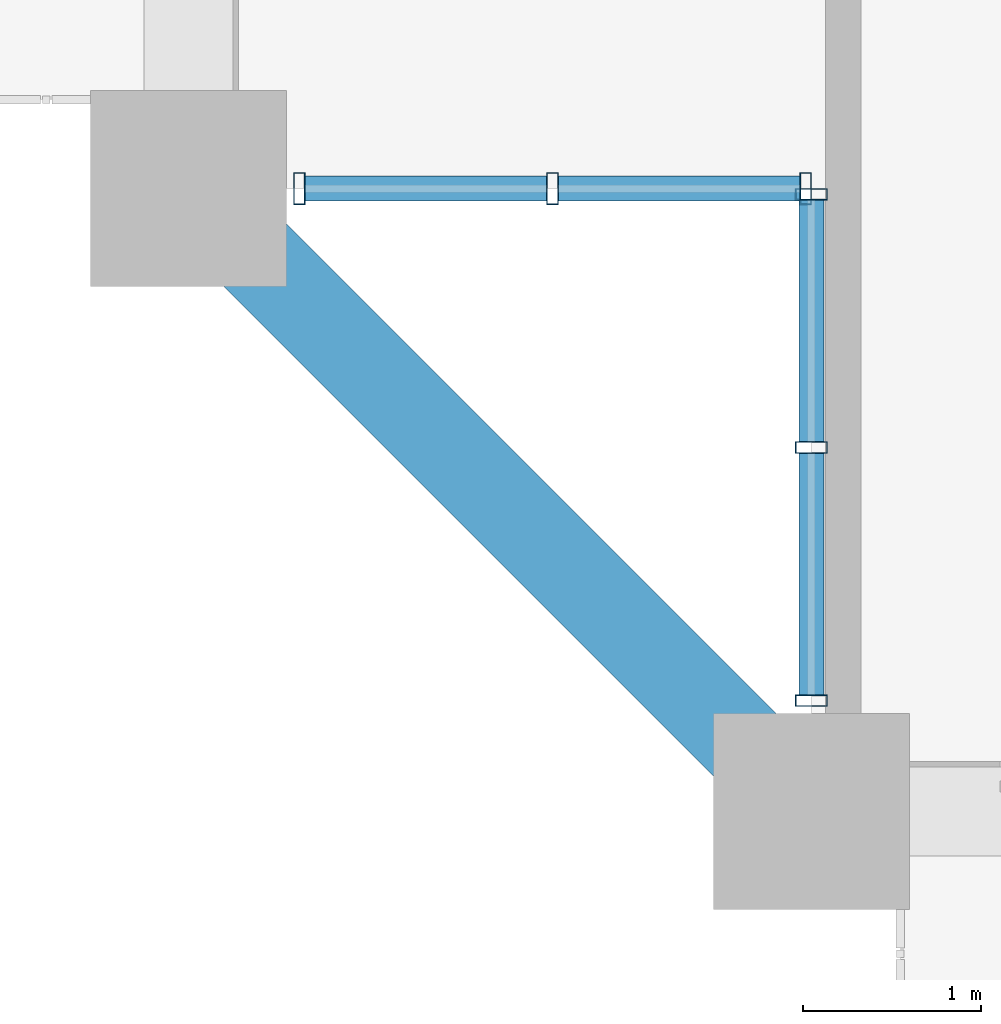
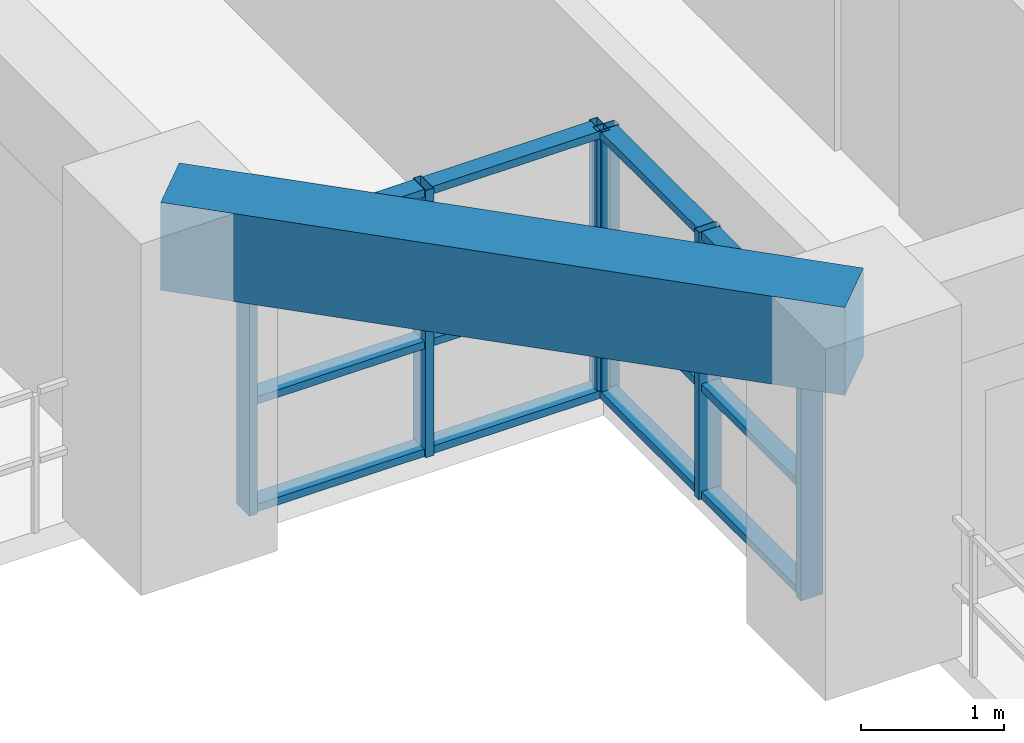
# One storey, part 2 of 27: 18 members, 1 beam, 2 elements without a shape of their own.
"""IFC4 building model written with IfcOpenShell, lengths in metres."""

import ifcopenshell
import ifcopenshell.guid

model = None  # the IFC model being written
_history = None  # IfcOwnerHistory: only IFC2X3 demands one
_inside = {}  # id of a spatial element -> (the spatial element, [elements in it])
_under = {}  # id of a project, library or spatial element -> (it, [spatial elements below it])
_declared = {}  # id of a project -> (the project, [libraries it declares])
_typed = {}  # id of a type object -> (the type object, [elements of that type])
_made_of = {}  # id of a material, layer set ... -> (it, [elements and type objects made of it])


def new_model(schema):
    """Start an empty IFC model of exactly this schema.

    Asked for "IFC4X3", IfcOpenShell would pick the latest addendum, in which some entities
    have other attributes; the version numbers below select the first issue.
    IFC2X3 requires an IfcOwnerHistory on every rooted entity: one is made here for all.
    """
    global model, _history
    if schema == "IFC4X3":
        model = ifcopenshell.file(schema_version=(4, 3, 0, 0))
    else:
        model = ifcopenshell.file(schema=schema)
    _inside.clear()
    _under.clear()
    _declared.clear()
    _typed.clear()
    _made_of.clear()
    _history = None
    if model.schema == "IFC2X3":
        org = make("IfcOrganization", Name="unknown")
        user = make(
            "IfcPersonAndOrganization",
            ThePerson=make("IfcPerson", FamilyName="unknown"),
            TheOrganization=org,
        )
        app = make(
            "IfcApplication",
            ApplicationDeveloper=org,
            Version="unknown",
            ApplicationFullName="unknown",
            ApplicationIdentifier="unknown",
        )
        _history = make(
            "IfcOwnerHistory",
            OwningUser=user,
            OwningApplication=app,
            ChangeAction="ADDED",
            CreationDate=0,
        )
    return model


def make(cls, **values):
    """One entity of the class cls with the attributes given. An attribute that is None is left unset."""
    return model.create_entity(
        cls, **{name: value for name, value in values.items() if value is not None}
    )


def rooted(cls, **values):
    """An entity with a GlobalId (a new one), such as an element, a storey or a relation."""
    return make(cls, GlobalId=ifcopenshell.guid.new(), OwnerHistory=_history, **values)


def si_unit(unit_type, name, prefix=None):
    """IfcSIUnit, for example si_unit("LENGTHUNIT", "METRE", prefix="MILLI")."""
    return make("IfcSIUnit", UnitType=unit_type, Prefix=prefix, Name=name)


def assignment(units):
    """IfcUnitAssignment: the units of a project."""
    return None if units is None else make("IfcUnitAssignment", Units=units)


def point(xyz):
    """IfcCartesianPoint."""
    return None if xyz is None else make("IfcCartesianPoint", Coordinates=xyz)


def direction(xyz):
    """IfcDirection."""
    return None if xyz is None else make("IfcDirection", DirectionRatios=xyz)


def frame(location, z_axis=None, x_axis=None):
    """IfcAxis2Placement3D, a coordinate frame: its origin and axes. An axis left out is left unset."""
    return make(
        "IfcAxis2Placement3D",
        Location=point(location),
        Axis=direction(z_axis),
        RefDirection=direction(x_axis),
    )


def frame_2d(location, x_axis=None):
    """IfcAxis2Placement2D, a coordinate frame in the plane: its origin and x axis."""
    return make(
        "IfcAxis2Placement2D", Location=point(location), RefDirection=direction(x_axis)
    )


def origin():
    """The frame at (0, 0, 0) with its axes left unset."""
    return frame((0.0, 0.0, 0.0))


def origin_2d():
    """The frame at (0, 0) in the plane with its x axis left unset."""
    return frame_2d((0.0, 0.0))


def place(relative_to, where):
    """IfcLocalPlacement: puts the frame where relative to a parent placement (None: the world)."""
    return make(
        "IfcLocalPlacement", PlacementRelTo=relative_to, RelativePlacement=where
    )


def context(
    kind, dimensions, precision=None, world=None, true_north=None, identifier=None
):
    """IfcGeometricRepresentationContext, for example the 3D "Model" context."""
    return make(
        "IfcGeometricRepresentationContext",
        ContextIdentifier=identifier,
        ContextType=kind,
        CoordinateSpaceDimension=dimensions,
        Precision=precision,
        WorldCoordinateSystem=world,
        TrueNorth=true_north,
    )


def subcontext(parent, identifier, kind, view, scale=None):
    """IfcGeometricRepresentationSubContext, for example "Body" below "Model"."""
    return make(
        "IfcGeometricRepresentationSubContext",
        ContextIdentifier=identifier,
        ContextType=kind,
        ParentContext=parent,
        TargetScale=scale,
        TargetView=view,
    )


def project(units=None, contexts=None):
    """IfcProject with its units and contexts."""
    return rooted(
        "IfcProject",
        Name="project",
        RepresentationContexts=contexts,
        UnitsInContext=assignment(units),
    )


def spatial(cls, under=None, at=None, **own):
    """A site, building, storey or space (cls), placed at a placement, below another one or the project."""
    s = rooted(cls, ObjectPlacement=at, **own)
    if under is not None:
        _under.setdefault(under.id(), (under, []))[1].append(s)
    return s


def profile(cls, at=None, kind="AREA", **sizes):
    """A parametric profile (cls). Its sizes go by their IFC names, for example OverallWidth=200.0."""
    return make(cls, ProfileType=kind, Position=at, **sizes)


def rectangle(**sizes):
    """IfcRectangleProfileDef."""
    return profile("IfcRectangleProfileDef", **sizes)


def hollow_rectangle(**sizes):
    """IfcRectangleHollowProfileDef."""
    return profile("IfcRectangleHollowProfileDef", **sizes)


def extrude(swept, where, along, depth):
    """IfcExtrudedAreaSolid: the profile swept, set in the frame where, extruded along a direction by depth."""
    return make(
        "IfcExtrudedAreaSolid",
        SweptArea=swept,
        Position=where,
        ExtrudedDirection=direction(along),
        Depth=depth,
    )


def shape(context_of_items, identifier, shape_type, items):
    """IfcShapeRepresentation: the items that make up one representation, for example the "Body"."""
    return make(
        "IfcShapeRepresentation",
        ContextOfItems=context_of_items,
        RepresentationIdentifier=identifier,
        RepresentationType=shape_type,
        Items=items,
    )


def source(mapping_origin, context_of_items, identifier, shape_type, items):
    """IfcRepresentationMap: a shape defined once, which mapped items show again and again."""
    return make(
        "IfcRepresentationMap",
        MappingOrigin=mapping_origin,
        MappedRepresentation=shape(context_of_items, identifier, shape_type, items),
    )


def transform(
    local_origin,
    x_axis=None,
    y_axis=None,
    z_axis=None,
    scale=None,
    scale2=None,
    scale3=None,
    uniform=True,
):
    """IfcCartesianTransformationOperator3D, or its non-uniform kind. x_axis, y_axis, z_axis: its Axis1, 2, 3."""
    if uniform:
        return make(
            "IfcCartesianTransformationOperator3D",
            Axis1=direction(x_axis),
            Axis2=direction(y_axis),
            LocalOrigin=point(local_origin),
            Scale=scale,
            Axis3=direction(z_axis),
        )
    return make(
        "IfcCartesianTransformationOperator3DnonUniform",
        Axis1=direction(x_axis),
        Axis2=direction(y_axis),
        LocalOrigin=point(local_origin),
        Scale=scale,
        Axis3=direction(z_axis),
        Scale2=scale2,
        Scale3=scale3,
    )


def mapped(mapping_source, mapping_target):
    """IfcMappedItem: shows the shape of a source again, moved by a transform."""
    return make(
        "IfcMappedItem", MappingSource=mapping_source, MappingTarget=mapping_target
    )


def material(Name=None, Category=None):
    """IfcMaterial."""
    return make("IfcMaterial", Name=Name, Category=Category)


def layer(
    of_material, thickness, ventilated=None, Name=None, Category=None, Priority=None
):
    """IfcMaterialLayer: one layer of a wall or slab, of a material (None: an air gap)."""
    return make(
        "IfcMaterialLayer",
        Material=of_material,
        LayerThickness=thickness,
        IsVentilated=ventilated,
        Name=Name,
        Category=Category,
        Priority=Priority,
    )


def layer_set(layers, Name=None):
    """IfcMaterialLayerSet."""
    return make("IfcMaterialLayerSet", MaterialLayers=layers, LayerSetName=Name)


def material_profile(
    of_material, cross_section, Name=None, Category=None, Priority=None
):
    """IfcMaterialProfile: a cross section and its material."""
    return make(
        "IfcMaterialProfile",
        Name=Name,
        Material=of_material,
        Profile=cross_section,
        Priority=Priority,
        Category=Category,
    )


def profile_set(profiles, Name=None, composite=None):
    """IfcMaterialProfileSet."""
    return make(
        "IfcMaterialProfileSet",
        Name=Name,
        MaterialProfiles=profiles,
        CompositeProfile=composite,
    )


def made_of(thing, what):
    """Note that an element or type object is made of a material, layer set ...; save() writes the relation."""
    if what is not None:
        _made_of.setdefault(what.id(), (what, []))[1].append(thing)
    return thing


def type_object(cls, material=None, **own):
    """A type object (cls), such as IfcWallType, which elements share."""
    return made_of(rooted(cls, **own), material)


def element(
    cls,
    number,
    at=None,
    inside=None,
    cuts=None,
    type_object=None,
    material=None,
    context=None,
    identifier="Body",
    shape_type=None,
    held_by="IfcProductDefinitionShape",
    body=None,
    shapes=None,
    **own,
):
    """One element of the class cls, such as IfcWall. Its Tag is "e" and its number.

    at: its placement. inside: the storey or other place that contains it. cuts: it is an
    opening in that element (IfcRelVoidsElement). A single representation is given by context,
    identifier, shape_type and body (its items); several are given by shapes. held_by: the class
    of the entity that holds the representations. save() writes the other relations.
    """
    e = rooted(cls, Tag="e%d" % number, ObjectPlacement=at, **own)
    if body is not None:
        shapes = [shape(context, identifier, shape_type, body)]
    if shapes is not None:
        e.Representation = make(held_by, Representations=shapes)
    if inside is not None:
        _inside.setdefault(inside.id(), (inside, []))[1].append(e)
    if cuts is not None:
        rooted(
            "IfcRelVoidsElement", RelatingBuildingElement=cuts, RelatedOpeningElement=e
        )
    if type_object is not None:
        _typed.setdefault(type_object.id(), (type_object, []))[1].append(e)
    return made_of(e, material)


def aggregate(whole, parts):
    """IfcRelAggregates: a whole, such as a stair, and the parts it consists of."""
    return rooted("IfcRelAggregates", RelatingObject=whole, RelatedObjects=parts)


def save(model, path):
    """Write the relations noted so far, then the file.

    IfcRelAggregates (storeys below a building ...), IfcRelContainedInSpatialStructure (elements
    in a storey), IfcRelDefinesByType, IfcRelAssociatesMaterial and IfcRelDeclares: one each for
    every whole, place, type object, material and project.
    """
    for whole, parts in _under.values():
        aggregate(whole, parts)
    for where, things in _inside.values():
        rooted(
            "IfcRelContainedInSpatialStructure",
            RelatedElements=things,
            RelatingStructure=where,
        )
    for kind, things in _typed.values():
        rooted("IfcRelDefinesByType", RelatedObjects=things, RelatingType=kind)
    for what, things in _made_of.values():
        rooted("IfcRelAssociatesMaterial", RelatedObjects=things, RelatingMaterial=what)
    for by, libraries in _declared.values():
        rooted("IfcRelDeclares", RelatingContext=by, RelatedDefinitions=libraries)
    model.write(path)


model = new_model("IFC4")

# Units and contexts
model_context = context("Model", 3, precision=1e-05, world=origin(), true_north=direction((0.0, 1.0)))
body_context = subcontext(model_context, "Body", "Model", "MODEL_VIEW")
ifc_project = project(units=[si_unit("LENGTHUNIT", "METRE"), si_unit("AREAUNIT", "SQUARE_METRE"), si_unit("VOLUMEUNIT", "CUBIC_METRE"), si_unit("PLANEANGLEUNIT", "RADIAN"), si_unit("MASSUNIT", "GRAM", prefix="KILO")], contexts=[model_context])

# Site, building, storey
site_placement = place(None, origin())
site = spatial("IfcSite", under=ifc_project, at=site_placement, CompositionType="ELEMENT")
building_placement = place(site_placement, origin())
building = spatial("IfcBuilding", under=site, at=building_placement, Name="Saelheon Loggia Tower", CompositionType="ELEMENT")
storey_placement = place(building_placement, frame((0.0, 0.0, 34.39990234375)))
storey = spatial("IfcBuildingStorey", under=building, at=storey_placement, Name="L10", CompositionType="ELEMENT", Elevation=34.39990234375)

# Beam
ifc_material_1 = material(Name="Concrete C45/55", Category="concrete")
ifc_material_profile_1 = material_profile(ifc_material_1, rectangle(XDim=0.5, YDim=0.75, at=origin_2d()), Name="RC-500x750")
ifc_profile_set_1 = profile_set([ifc_material_profile_1], Name="Concrete C45/55")
beam_type = type_object("IfcBeamType", Name="Beam_PerimGirder_RC500x750", PredefinedType="BEAM", material=ifc_profile_set_1)
shared_shape_1 = source(origin(), body_context, "Body", "SweptSolid", [
    extrude(rectangle(XDim=0.5, YDim=0.75, at=origin_2d()), origin(), (0.0, 0.0, 1.0), 4.94970703125),
])
beam_placement = place(storey_placement, frame((12.0, 6.5, 2.625), z_axis=(0.707106781187, -0.707106781187, 0.0), x_axis=(0.707106781187, 0.707106781187, 0.0)))
element("IfcBeam", 1, at=beam_placement, inside=storey, type_object=beam_type, Name="L10 Perimeter Frame Girder 16", PredefinedType="BEAM", context=body_context, shape_type="MappedRepresentation", body=[
    mapped(shared_shape_1, transform((0.0, 0.0, 0.0), scale=1.0)),
])

# Curtain wall, members
ifc_material_2 = material(Name="Thermal-Break Aluminium and Triple Low-E Glass", Category="aluminium")
ifc_layer = layer(ifc_material_2, 0.159912109375)
ifc_layer_set = layer_set([ifc_layer], Name="Thermal-Break Aluminium and Triple Low-E Glass")
curtain_wall_type = type_object("IfcCurtainWallType", Name="CW_TowerLoggiaLow", PredefinedType="NOTDEFINED", material=ifc_layer_set)
curtain_wall_1_placement = place(storey_placement, origin())
curtain_wall_1 = element("IfcCurtainWall", 2, at=curtain_wall_1_placement, inside=storey, type_object=curtain_wall_type, Name="L10 Corner Notch Glazing SW1", PredefinedType="NOTDEFINED")
ifc_material_3 = material(Name="Anodised Aluminium 6063-T6", Category="aluminium")
ifc_material_profile_2 = material_profile(ifc_material_3, hollow_rectangle(XDim=0.06494140625, YDim=0.179931640625, WallThickness=0.00390625, at=origin_2d()), Name="RHS-180x65x4")
ifc_profile_set_2 = profile_set([ifc_material_profile_2], Name="Anodised Aluminium 6063-T6")
member_type_1 = type_object("IfcMemberType", Name="CW_TowerLoggiaLow_Mullion", PredefinedType="MULLION", material=ifc_profile_set_2)
shared_shape_2 = source(origin(), body_context, "Body", "SweptSolid", [
    extrude(hollow_rectangle(XDim=0.06494140625, YDim=0.179931640625, WallThickness=0.00390625, at=origin_2d()), origin(), (0.0, 0.0, 1.0), 2.280029296875),
])
member_1_placement = place(storey_placement, frame((15.5, 3.62255859375, 0.0), z_axis=(0.0, 0.0, 1.0), x_axis=(0.0, 1.0, 0.0)))
member_1 = element("IfcMember", 3, at=member_1_placement, type_object=member_type_1, Name="CW3 mullion 1", PredefinedType="MULLION", context=body_context, shape_type="MappedRepresentation", body=[
    mapped(shared_shape_2, transform((0.0, 0.0, 0.0), scale=1.0)),
])
member_2_placement = place(storey_placement, frame((15.5, 5.044921875, 0.0), z_axis=(0.0, 0.0, 1.0), x_axis=(0.0, 1.0, 0.0)))
member_2 = element("IfcMember", 4, at=member_2_placement, type_object=member_type_1, Name="CW3 mullion 2", PredefinedType="MULLION", context=body_context, shape_type="MappedRepresentation", body=[
    mapped(shared_shape_2, transform((0.0, 0.0, 0.0), scale=1.0)),
])
member_3_placement = place(storey_placement, frame((15.5, 6.467529296875, 0.0), z_axis=(0.0, 0.0, 1.0), x_axis=(0.0, 1.0, 0.0)))
member_3 = element("IfcMember", 5, at=member_3_placement, type_object=member_type_1, Name="CW3 mullion 3", PredefinedType="MULLION", context=body_context, shape_type="MappedRepresentation", body=[
    mapped(shared_shape_2, transform((0.0, 0.0, 0.0), scale=1.0)),
])

curtain_wall_2_placement = place(storey_placement, origin())
curtain_wall_2 = element("IfcCurtainWall", 6, at=curtain_wall_2_placement, inside=storey, type_object=curtain_wall_type, Name="L10 Corner Notch Glazing SW2", PredefinedType="NOTDEFINED")
member_4_placement = place(storey_placement, frame((12.62255859375, 6.5, 0.0), z_axis=(0.0, 0.0, 1.0), x_axis=(1.0, 0.0, 0.0)))
member_4 = element("IfcMember", 7, at=member_4_placement, type_object=member_type_1, Name="CW3 mullion 1", PredefinedType="MULLION", context=body_context, shape_type="MappedRepresentation", body=[
    mapped(shared_shape_2, transform((0.0, 0.0, 0.0), scale=1.0)),
])
member_5_placement = place(storey_placement, frame((14.044921875, 6.5, 0.0), z_axis=(0.0, 0.0, 1.0), x_axis=(1.0, 0.0, 0.0)))
member_5 = element("IfcMember", 8, at=member_5_placement, type_object=member_type_1, Name="CW3 mullion 2", PredefinedType="MULLION", context=body_context, shape_type="MappedRepresentation", body=[
    mapped(shared_shape_2, transform((0.0, 0.0, 0.0), scale=1.0)),
])
member_6_placement = place(storey_placement, frame((15.467529296875, 6.5, 0.0), z_axis=(0.0, 0.0, 1.0), x_axis=(1.0, 0.0, 0.0)))
member_6 = element("IfcMember", 9, at=member_6_placement, type_object=member_type_1, Name="CW3 mullion 3", PredefinedType="MULLION", context=body_context, shape_type="MappedRepresentation", body=[
    mapped(shared_shape_2, transform((0.0, 0.0, 0.0), scale=1.0)),
])

# Member
ifc_material_profile_3 = material_profile(ifc_material_3, hollow_rectangle(XDim=0.06494140625, YDim=0.139892578125, WallThickness=0.00390625, at=origin_2d()), Name="RHS-140x65x4")
ifc_profile_set_3 = profile_set([ifc_material_profile_3], Name="Anodised Aluminium 6063-T6")
member_type_2 = type_object("IfcMemberType", Name="CW_TowerLoggiaLow_Transom", PredefinedType="USERDEFINED", material=ifc_profile_set_3)
shared_shape_3 = source(origin(), body_context, "Body", "SweptSolid", [
    extrude(hollow_rectangle(XDim=0.06494140625, YDim=0.139892578125, WallThickness=0.00390625, at=origin_2d()), origin(), (0.0, 0.0, 1.0), 1.357421875),
])
member_7_placement = place(storey_placement, frame((15.5, 3.655029296875, 0.03271484375), z_axis=(0.0, 1.0, 0.0), x_axis=(0.0, 0.0, 1.0)))
member_7 = element("IfcMember", 10, at=member_7_placement, type_object=member_type_2, Name="CW3 transom 1.1", ObjectType="TRANSOM", PredefinedType="USERDEFINED", context=body_context, shape_type="MappedRepresentation", body=[
    mapped(shared_shape_3, transform((0.0, 0.0, 0.0), scale=1.0)),
])

member_8_placement = place(storey_placement, frame((15.5, 3.655029296875, 0.9501953125), z_axis=(0.0, 1.0, 0.0), x_axis=(0.0, 0.0, 1.0)))
member_8 = element("IfcMember", 11, at=member_8_placement, type_object=member_type_2, Name="CW3 transom 1.2", ObjectType="TRANSOM", PredefinedType="USERDEFINED", context=body_context, shape_type="MappedRepresentation", body=[
    mapped(shared_shape_3, transform((0.0, 0.0, 0.0), scale=1.0)),
])

member_9_placement = place(storey_placement, frame((15.5, 3.655029296875, 2.24755859375), z_axis=(0.0, 1.0, 0.0), x_axis=(0.0, 0.0, 1.0)))
member_9 = element("IfcMember", 12, at=member_9_placement, type_object=member_type_2, Name="CW3 transom 1.3", ObjectType="TRANSOM", PredefinedType="USERDEFINED", context=body_context, shape_type="MappedRepresentation", body=[
    mapped(shared_shape_3, transform((0.0, 0.0, 0.0), scale=1.0)),
])

member_10_placement = place(storey_placement, frame((12.655029296875, 6.5, 0.03271484375), z_axis=(1.0, 0.0, 0.0), x_axis=(0.0, 0.0, 1.0)))
member_10 = element("IfcMember", 13, at=member_10_placement, type_object=member_type_2, Name="CW3 transom 1.1", ObjectType="TRANSOM", PredefinedType="USERDEFINED", context=body_context, shape_type="MappedRepresentation", body=[
    mapped(shared_shape_3, transform((0.0, 0.0, 0.0), scale=1.0)),
])

member_11_placement = place(storey_placement, frame((12.655029296875, 6.5, 0.9501953125), z_axis=(1.0, 0.0, 0.0), x_axis=(0.0, 0.0, 1.0)))
member_11 = element("IfcMember", 14, at=member_11_placement, type_object=member_type_2, Name="CW3 transom 1.2", ObjectType="TRANSOM", PredefinedType="USERDEFINED", context=body_context, shape_type="MappedRepresentation", body=[
    mapped(shared_shape_3, transform((0.0, 0.0, 0.0), scale=1.0)),
])

member_12_placement = place(storey_placement, frame((12.655029296875, 6.5, 2.24755859375), z_axis=(1.0, 0.0, 0.0), x_axis=(0.0, 0.0, 1.0)))
member_12 = element("IfcMember", 15, at=member_12_placement, type_object=member_type_2, Name="CW3 transom 1.3", ObjectType="TRANSOM", PredefinedType="USERDEFINED", context=body_context, shape_type="MappedRepresentation", body=[
    mapped(shared_shape_3, transform((0.0, 0.0, 0.0), scale=1.0)),
])

shared_shape_4 = source(origin(), body_context, "Body", "SweptSolid", [
    extrude(hollow_rectangle(XDim=0.06494140625, YDim=0.139892578125, WallThickness=0.00390625, at=origin_2d()), origin(), (0.0, 0.0, 1.0), 1.357666015625),
])
member_13_placement = place(storey_placement, frame((15.5, 5.077392578125, 0.03271484375), z_axis=(0.0, 1.0, 0.0), x_axis=(0.0, 0.0, 1.0)))
member_13 = element("IfcMember", 16, at=member_13_placement, type_object=member_type_2, Name="CW3 transom 2.1", ObjectType="TRANSOM", PredefinedType="USERDEFINED", context=body_context, shape_type="MappedRepresentation", body=[
    mapped(shared_shape_4, transform((0.0, 0.0, 0.0), scale=1.0)),
])

member_14_placement = place(storey_placement, frame((15.5, 5.077392578125, 0.9501953125), z_axis=(0.0, 1.0, 0.0), x_axis=(0.0, 0.0, 1.0)))
member_14 = element("IfcMember", 17, at=member_14_placement, type_object=member_type_2, Name="CW3 transom 2.2", ObjectType="TRANSOM", PredefinedType="USERDEFINED", context=body_context, shape_type="MappedRepresentation", body=[
    mapped(shared_shape_4, transform((0.0, 0.0, 0.0), scale=1.0)),
])

member_15_placement = place(storey_placement, frame((15.5, 5.077392578125, 2.24755859375), z_axis=(0.0, 1.0, 0.0), x_axis=(0.0, 0.0, 1.0)))
member_15 = element("IfcMember", 18, at=member_15_placement, type_object=member_type_2, Name="CW3 transom 2.3", ObjectType="TRANSOM", PredefinedType="USERDEFINED", context=body_context, shape_type="MappedRepresentation", body=[
    mapped(shared_shape_4, transform((0.0, 0.0, 0.0), scale=1.0)),
])

aggregate(curtain_wall_1, [member_1, member_2, member_3, member_7, member_8, member_9, member_13, member_14, member_15])

member_16_placement = place(storey_placement, frame((14.077392578125, 6.5, 0.03271484375), z_axis=(1.0, 0.0, 0.0), x_axis=(0.0, 0.0, 1.0)))
member_16 = element("IfcMember", 19, at=member_16_placement, type_object=member_type_2, Name="CW3 transom 2.1", ObjectType="TRANSOM", PredefinedType="USERDEFINED", context=body_context, shape_type="MappedRepresentation", body=[
    mapped(shared_shape_4, transform((0.0, 0.0, 0.0), scale=1.0)),
])

member_17_placement = place(storey_placement, frame((14.077392578125, 6.5, 0.9501953125), z_axis=(1.0, 0.0, 0.0), x_axis=(0.0, 0.0, 1.0)))
member_17 = element("IfcMember", 20, at=member_17_placement, type_object=member_type_2, Name="CW3 transom 2.2", ObjectType="TRANSOM", PredefinedType="USERDEFINED", context=body_context, shape_type="MappedRepresentation", body=[
    mapped(shared_shape_4, transform((0.0, 0.0, 0.0), scale=1.0)),
])

member_18_placement = place(storey_placement, frame((14.077392578125, 6.5, 2.24755859375), z_axis=(1.0, 0.0, 0.0), x_axis=(0.0, 0.0, 1.0)))
member_18 = element("IfcMember", 21, at=member_18_placement, type_object=member_type_2, Name="CW3 transom 2.3", ObjectType="TRANSOM", PredefinedType="USERDEFINED", context=body_context, shape_type="MappedRepresentation", body=[
    mapped(shared_shape_4, transform((0.0, 0.0, 0.0), scale=1.0)),
])

aggregate(curtain_wall_2, [member_4, member_5, member_6, member_10, member_11, member_12, member_16, member_17, member_18])

save(model, "model.ifc")
